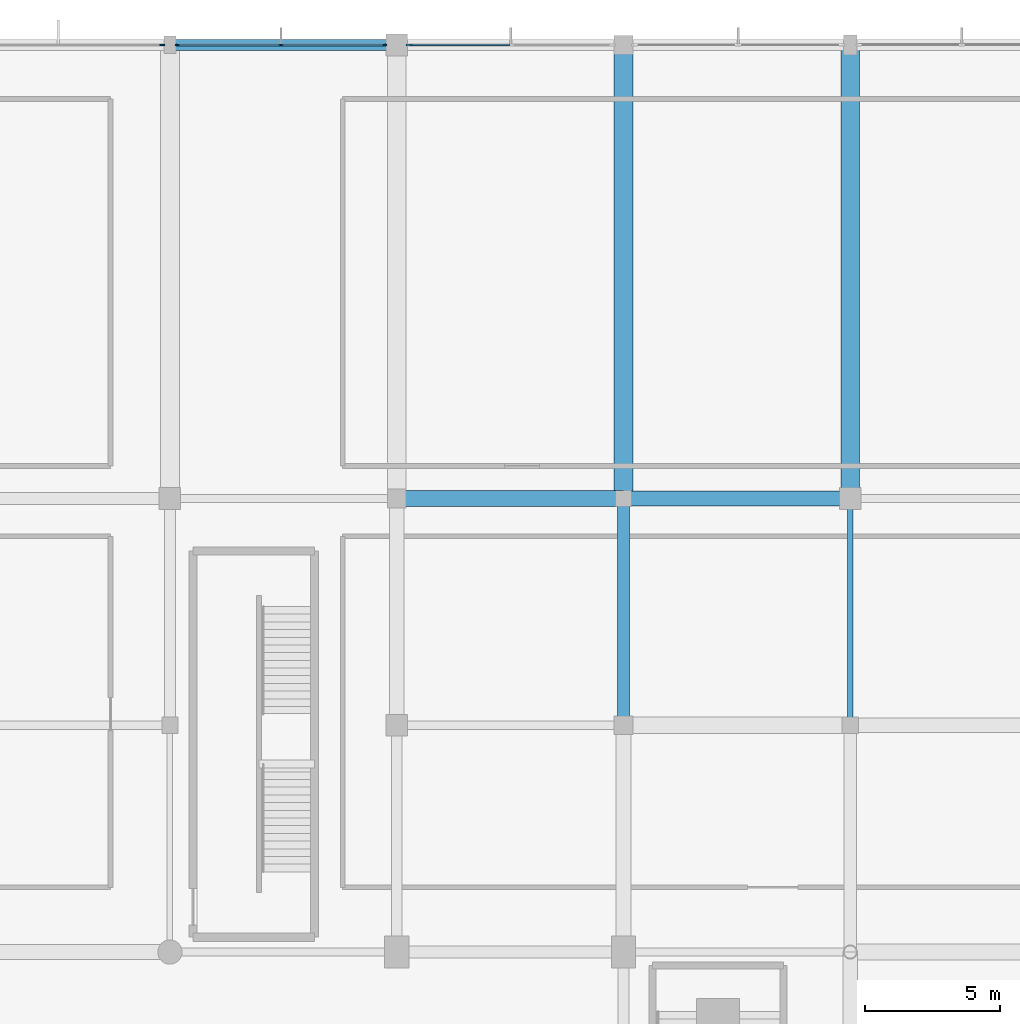
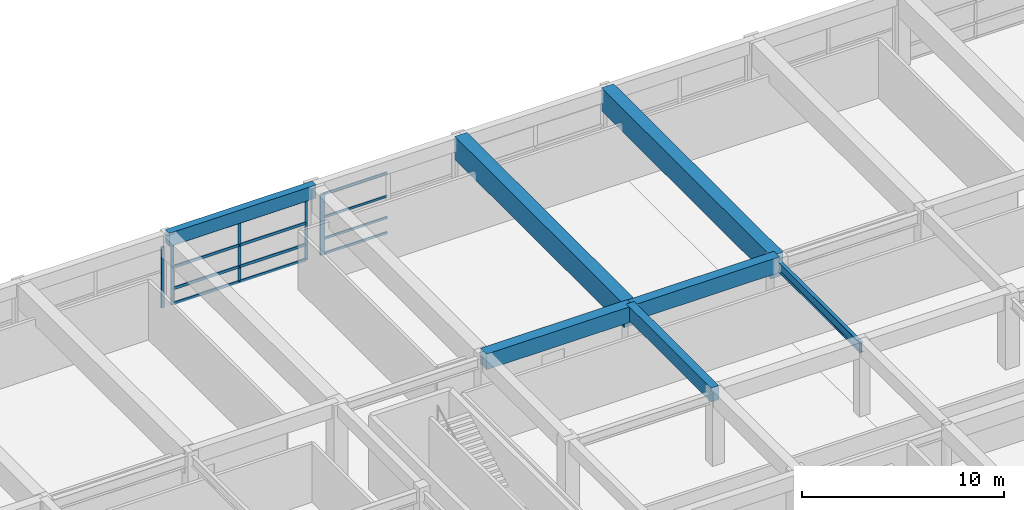
# One storey, part 30 of 65: 17 members, 7 beams, 3 elements without a shape of their own.
"""IFC4 building model written with IfcOpenShell, lengths in metres."""

from ifc_helpers import new_model, si_unit, direction, frame, origin, origin_2d, place, context, subcontext, project, spatial, rectangle, i_section, extrude, material, material_profile, profile_set, type_object, element, aggregate, save


model = new_model("IFC4")

# Units and contexts
model_context = context("Model", 3, precision=1e-05, world=origin(), true_north=direction((0.0, 1.0)))
body_context = subcontext(model_context, "Body", "Model", "MODEL_VIEW")
ifc_project = project(units=[si_unit("LENGTHUNIT", "METRE"), si_unit("AREAUNIT", "SQUARE_METRE"), si_unit("VOLUMEUNIT", "CUBIC_METRE"), si_unit("PLANEANGLEUNIT", "RADIAN"), si_unit("MASSUNIT", "GRAM", prefix="KILO")], contexts=[model_context])

# Site, building, storey
site_placement = place(None, origin())
site = spatial("IfcSite", under=ifc_project, at=site_placement, CompositionType="ELEMENT")
building_placement = place(site_placement, origin())
building = spatial("IfcBuilding", under=site, at=building_placement, Name="Xuanlan Plaza Opera House", CompositionType="ELEMENT")
storey_placement = place(building_placement, frame((0.0, 0.0, 5.39990234375)))
storey = spatial("IfcBuildingStorey", under=building, at=storey_placement, Name="L01", CompositionType="ELEMENT", Elevation=5.39990234375)

# Curtain wall, members
ifc_material_1 = material(Name="Anodised Aluminium 6063-T6 and Low-E Glass", Category="aluminium")
curtain_wall_type_1 = type_object("IfcCurtainWallType", Name="ENV-CW-CW-05", PredefinedType="USERDEFINED", material=ifc_material_1)
curtain_wall_1_placement = place(storey_placement, origin())
curtain_wall_1 = element("IfcCurtainWall", 1, at=curtain_wall_1_placement, inside=storey, type_object=curtain_wall_type_1, Name="Acoustic Glazed Wall L01-038", ObjectType="ACOUSTIC GLAZED WALL", PredefinedType="USERDEFINED")
ifc_material_2 = material(Name="Anodised Aluminium 6063-T6", Category="aluminium")
ifc_material_profile_1 = material_profile(ifc_material_2, rectangle(XDim=0.06494140625, YDim=0.159912109375, at=origin_2d()), Name="ALU-M 65x160")
ifc_profile_set_1 = profile_set([ifc_material_profile_1], Name="Anodised Aluminium 6063-T6")
member_type_1 = type_object("IfcMemberType", Name="ENV-CWM-01", PredefinedType="MULLION", material=ifc_profile_set_1)
member_1_placement = place(storey_placement, frame((91.947509765625, 117.60009765625, 0.0), z_axis=(0.0, 0.0, 1.0), x_axis=(0.0, -1.0, 0.0)))
member_1 = element("IfcMember", 2, at=member_1_placement, type_object=member_type_1, Name="CW-05 mullion 1", PredefinedType="MULLION", context=body_context, shape_type="SweptSolid", body=[
    extrude(rectangle(XDim=0.06494140625, YDim=0.159912109375, at=origin_2d()), origin(), (0.0, 0.0, 1.0), 3.68017578125),
])
member_2_placement = place(storey_placement, frame((88.112548828125, 117.60009765625, 0.0), z_axis=(0.0, 0.0, 1.0), x_axis=(0.0, -1.0, 0.0)))
member_2 = element("IfcMember", 3, at=member_2_placement, type_object=member_type_1, Name="CW-05 mullion 2", PredefinedType="MULLION", context=body_context, shape_type="SweptSolid", body=[
    extrude(rectangle(XDim=0.06494140625, YDim=0.159912109375, at=origin_2d()), origin(), (0.0, 0.0, 1.0), 3.68017578125),
])
member_3_placement = place(storey_placement, frame((84.277587890625, 117.60009765625, 0.0), z_axis=(0.0, 0.0, 1.0), x_axis=(0.0, -1.0, 0.0)))
member_3 = element("IfcMember", 4, at=member_3_placement, type_object=member_type_1, Name="CW-05 mullion 3", PredefinedType="MULLION", context=body_context, shape_type="SweptSolid", body=[
    extrude(rectangle(XDim=0.06494140625, YDim=0.159912109375, at=origin_2d()), origin(), (0.0, 0.0, 1.0), 3.68017578125),
])

# Curtain wall, member
curtain_wall_type_2 = type_object("IfcCurtainWallType", Name="ENV-CW-CW-06", PredefinedType="USERDEFINED", material=ifc_material_1)
curtain_wall_2_placement = place(storey_placement, origin())
curtain_wall_2 = element("IfcCurtainWall", 5, at=curtain_wall_2_placement, inside=storey, type_object=curtain_wall_type_2, Name="Acoustic Glazed Wall L01-039", ObjectType="ACOUSTIC GLAZED WALL", PredefinedType="USERDEFINED")
ifc_material_profile_2 = material_profile(ifc_material_2, rectangle(XDim=0.070068359375, YDim=0.179931640625, at=origin_2d()), Name="ALU-M 70x180")
ifc_profile_set_2 = profile_set([ifc_material_profile_2], Name="Anodised Aluminium 6063-T6")
member_type_2 = type_object("IfcMemberType", Name="ENV-CWM-02", PredefinedType="MULLION", material=ifc_profile_set_2)
member_4_placement = place(storey_placement, frame((83.719970703125, 117.60009765625, 0.0), z_axis=(0.0, 0.0, 1.0), x_axis=(0.0, -1.0, 0.0)))
member_4 = element("IfcMember", 6, at=member_4_placement, type_object=member_type_2, Name="CW-06 mullion 1", PredefinedType="MULLION", context=body_context, shape_type="SweptSolid", body=[
    extrude(rectangle(XDim=0.070068359375, YDim=0.179931640625, at=origin_2d()), origin(), (0.0, 0.0, 1.0), 3.68017578125),
])
aggregate(curtain_wall_2, [member_4])

# Curtain wall, members
curtain_wall_3_placement = place(storey_placement, origin())
curtain_wall_3 = element("IfcCurtainWall", 7, at=curtain_wall_3_placement, inside=storey, type_object=curtain_wall_type_2, Name="Acoustic Glazed Wall L01-037", ObjectType="ACOUSTIC GLAZED WALL", PredefinedType="USERDEFINED")
ifc_material_profile_3 = material_profile(ifc_material_2, rectangle(XDim=0.090087890625, YDim=0.25, at=origin_2d()), Name="ALU-M 90x250")
ifc_profile_set_3 = profile_set([ifc_material_profile_3], Name="Anodised Aluminium 6063-T6")
member_type_3 = type_object("IfcMemberType", Name="ENV-CWM-05", PredefinedType="MULLION", material=ifc_profile_set_3)
member_5_placement = place(storey_placement, frame((92.864990234375, 117.60009765625, 0.0), z_axis=(0.0, 0.0, 1.0), x_axis=(0.0, -1.0, 0.0)))
member_5 = element("IfcMember", 8, at=member_5_placement, type_object=member_type_3, Name="CW-06 mullion 3", PredefinedType="MULLION", context=body_context, shape_type="SweptSolid", body=[
    extrude(rectangle(XDim=0.090087890625, YDim=0.25, at=origin_2d()), origin(), (0.0, 0.0, 1.0), 3.68017578125),
])
ifc_material_profile_4 = material_profile(ifc_material_2, rectangle(XDim=0.070068359375, YDim=0.135009765625, at=origin_2d()), Name="ALU-T 70x135")
ifc_profile_set_4 = profile_set([ifc_material_profile_4], Name="Anodised Aluminium 6063-T6")
member_type_4 = type_object("IfcMemberType", Name="ENV-CWT-02", PredefinedType="USERDEFINED", material=ifc_profile_set_4)
member_6_placement = place(storey_placement, frame((96.580078125, 117.60009765625, 0.03515625), z_axis=(-1.0, 0.0, 0.0), x_axis=(0.0, -1.0, 0.0)))
member_6 = element("IfcMember", 9, at=member_6_placement, type_object=member_type_4, Name="CW-06 transom 2.1", ObjectType="TRANSOM", PredefinedType="USERDEFINED", context=body_context, shape_type="SweptSolid", body=[
    extrude(rectangle(XDim=0.070068359375, YDim=0.135009765625, at=origin_2d()), origin(), (0.0, 0.0, 1.0), 3.670166015625),
])
member_7_placement = place(storey_placement, frame((96.580078125, 117.60009765625, 0.9501953125), z_axis=(-1.0, 0.0, 0.0), x_axis=(0.0, -1.0, 0.0)))
member_7 = element("IfcMember", 10, at=member_7_placement, type_object=member_type_4, Name="CW-06 transom 2.2", ObjectType="TRANSOM", PredefinedType="USERDEFINED", context=body_context, shape_type="SweptSolid", body=[
    extrude(rectangle(XDim=0.070068359375, YDim=0.135009765625, at=origin_2d()), origin(), (0.0, 0.0, 1.0), 3.670166015625),
])
member_8_placement = place(storey_placement, frame((96.580078125, 117.60009765625, 2.25), z_axis=(-1.0, 0.0, 0.0), x_axis=(0.0, -1.0, 0.0)))
member_8 = element("IfcMember", 11, at=member_8_placement, type_object=member_type_4, Name="CW-06 transom 2.3", ObjectType="TRANSOM", PredefinedType="USERDEFINED", context=body_context, shape_type="SweptSolid", body=[
    extrude(rectangle(XDim=0.070068359375, YDim=0.135009765625, at=origin_2d()), origin(), (0.0, 0.0, 1.0), 3.670166015625),
])
member_9_placement = place(storey_placement, frame((96.580078125, 117.60009765625, 3.64501953125), z_axis=(-1.0, 0.0, 0.0), x_axis=(0.0, -1.0, 0.0)))
member_9 = element("IfcMember", 12, at=member_9_placement, type_object=member_type_4, Name="CW-06 transom 2.4", ObjectType="TRANSOM", PredefinedType="USERDEFINED", context=body_context, shape_type="SweptSolid", body=[
    extrude(rectangle(XDim=0.070068359375, YDim=0.135009765625, at=origin_2d()), origin(), (0.0, 0.0, 1.0), 3.670166015625),
])
aggregate(curtain_wall_3, [member_5, member_6, member_7, member_8, member_9])

# Member
ifc_material_profile_5 = material_profile(ifc_material_2, rectangle(XDim=0.080078125, YDim=0.1650390625, at=origin_2d()), Name="ALU-T 80x165")
ifc_profile_set_5 = profile_set([ifc_material_profile_5], Name="Anodised Aluminium 6063-T6")
member_type_5 = type_object("IfcMemberType", Name="ENV-CWT-04", PredefinedType="USERDEFINED", material=ifc_profile_set_5)
member_10_placement = place(storey_placement, frame((91.9150390625, 117.60009765625, 0.0400390625), z_axis=(-1.0, 0.0, 0.0), x_axis=(0.0, -1.0, 0.0)))
member_10 = element("IfcMember", 13, at=member_10_placement, type_object=member_type_5, Name="CW-05 transom 1.1", ObjectType="TRANSOM", PredefinedType="USERDEFINED", context=body_context, shape_type="SweptSolid", body=[
    extrude(rectangle(XDim=0.080078125, YDim=0.1650390625, at=origin_2d()), origin(), (0.0, 0.0, 1.0), 3.77001953125),
])

member_11_placement = place(storey_placement, frame((91.9150390625, 117.60009765625, 0.9501953125), z_axis=(-1.0, 0.0, 0.0), x_axis=(0.0, -1.0, 0.0)))
member_11 = element("IfcMember", 14, at=member_11_placement, type_object=member_type_5, Name="CW-05 transom 1.2", ObjectType="TRANSOM", PredefinedType="USERDEFINED", context=body_context, shape_type="SweptSolid", body=[
    extrude(rectangle(XDim=0.080078125, YDim=0.1650390625, at=origin_2d()), origin(), (0.0, 0.0, 1.0), 3.77001953125),
])

member_12_placement = place(storey_placement, frame((91.9150390625, 117.60009765625, 2.25), z_axis=(-1.0, 0.0, 0.0), x_axis=(0.0, -1.0, 0.0)))
member_12 = element("IfcMember", 15, at=member_12_placement, type_object=member_type_5, Name="CW-05 transom 1.3", ObjectType="TRANSOM", PredefinedType="USERDEFINED", context=body_context, shape_type="SweptSolid", body=[
    extrude(rectangle(XDim=0.080078125, YDim=0.1650390625, at=origin_2d()), origin(), (0.0, 0.0, 1.0), 3.77001953125),
])

member_13_placement = place(storey_placement, frame((91.9150390625, 117.60009765625, 3.64013671875), z_axis=(-1.0, 0.0, 0.0), x_axis=(0.0, -1.0, 0.0)))
member_13 = element("IfcMember", 16, at=member_13_placement, type_object=member_type_5, Name="CW-05 transom 1.4", ObjectType="TRANSOM", PredefinedType="USERDEFINED", context=body_context, shape_type="SweptSolid", body=[
    extrude(rectangle(XDim=0.080078125, YDim=0.1650390625, at=origin_2d()), origin(), (0.0, 0.0, 1.0), 3.77001953125),
])

member_14_placement = place(storey_placement, frame((88.080078125, 117.60009765625, 0.0400390625), z_axis=(-1.0, 0.0, 0.0), x_axis=(0.0, -1.0, 0.0)))
member_14 = element("IfcMember", 17, at=member_14_placement, type_object=member_type_5, Name="CW-05 transom 2.1", ObjectType="TRANSOM", PredefinedType="USERDEFINED", context=body_context, shape_type="SweptSolid", body=[
    extrude(rectangle(XDim=0.080078125, YDim=0.1650390625, at=origin_2d()), origin(), (0.0, 0.0, 1.0), 3.77001953125),
])

member_15_placement = place(storey_placement, frame((88.080078125, 117.60009765625, 0.9501953125), z_axis=(-1.0, 0.0, 0.0), x_axis=(0.0, -1.0, 0.0)))
member_15 = element("IfcMember", 18, at=member_15_placement, type_object=member_type_5, Name="CW-05 transom 2.2", ObjectType="TRANSOM", PredefinedType="USERDEFINED", context=body_context, shape_type="SweptSolid", body=[
    extrude(rectangle(XDim=0.080078125, YDim=0.1650390625, at=origin_2d()), origin(), (0.0, 0.0, 1.0), 3.77001953125),
])

member_16_placement = place(storey_placement, frame((88.080078125, 117.60009765625, 2.25), z_axis=(-1.0, 0.0, 0.0), x_axis=(0.0, -1.0, 0.0)))
member_16 = element("IfcMember", 19, at=member_16_placement, type_object=member_type_5, Name="CW-05 transom 2.3", ObjectType="TRANSOM", PredefinedType="USERDEFINED", context=body_context, shape_type="SweptSolid", body=[
    extrude(rectangle(XDim=0.080078125, YDim=0.1650390625, at=origin_2d()), origin(), (0.0, 0.0, 1.0), 3.77001953125),
])

member_17_placement = place(storey_placement, frame((88.080078125, 117.60009765625, 3.64013671875), z_axis=(-1.0, 0.0, 0.0), x_axis=(0.0, -1.0, 0.0)))
member_17 = element("IfcMember", 20, at=member_17_placement, type_object=member_type_5, Name="CW-05 transom 2.4", ObjectType="TRANSOM", PredefinedType="USERDEFINED", context=body_context, shape_type="SweptSolid", body=[
    extrude(rectangle(XDim=0.080078125, YDim=0.1650390625, at=origin_2d()), origin(), (0.0, 0.0, 1.0), 3.77001953125),
])

aggregate(curtain_wall_1, [member_1, member_2, member_3, member_10, member_11, member_12, member_13, member_14, member_15, member_16, member_17])

# Beams
ifc_material_3 = material(Name="Concrete C50", Category="concrete")
ifc_material_profile_6 = material_profile(ifc_material_3, rectangle(XDim=0.60009765625, YDim=0.949951171875, at=origin_2d()), Name="RC-BM 600x950")
ifc_profile_set_6 = profile_set([ifc_material_profile_6], Name="Concrete C50")
beam_type_1 = type_object("IfcBeamType", Name="STR-BM-B-01", PredefinedType="BEAM", material=ifc_profile_set_6)
beam_1_placement = place(storey_placement, frame((92.39990234375, 100.800048828125, 4.025146484375), z_axis=(1.0, 0.0, 0.0), x_axis=(0.0, 1.0, 0.0)))
element("IfcBeam", 21, at=beam_1_placement, inside=storey, type_object=beam_type_1, Name="Grid Beam X L01 12-13/M", PredefinedType="BEAM", context=body_context, shape_type="SweptSolid", body=[
    extrude(rectangle(XDim=0.60009765625, YDim=0.949951171875, at=origin_2d()), origin(), (0.0, 0.0, 1.0), 8.400146484375),
])
ifc_material_profile_7 = material_profile(ifc_material_3, rectangle(XDim=0.550048828125, YDim=0.949951171875, at=origin_2d()), Name="RC-BM 550x950")
ifc_profile_set_7 = profile_set([ifc_material_profile_7], Name="Concrete C50")
beam_type_2 = type_object("IfcBeamType", Name="STR-BM-B-02", PredefinedType="BEAM", material=ifc_profile_set_7)
beam_2_placement = place(storey_placement, frame((100.800048828125, 100.800048828125, 4.025146484375), z_axis=(1.0, 0.0, 0.0), x_axis=(0.0, 1.0, 0.0)))
element("IfcBeam", 22, at=beam_2_placement, inside=storey, type_object=beam_type_2, Name="Grid Beam X L01 13-14/M", PredefinedType="BEAM", context=body_context, shape_type="SweptSolid", body=[
    extrude(rectangle(XDim=0.550048828125, YDim=0.949951171875, at=origin_2d()), origin(), (0.0, 0.0, 1.0), 8.39990234375),
])
ifc_material_4 = material(Name="Concrete C40", Category="concrete")
ifc_material_profile_8 = material_profile(ifc_material_4, rectangle(XDim=0.449951171875, YDim=0.85009765625, at=origin_2d()), Name="RC-BM 450x850")
ifc_profile_set_8 = profile_set([ifc_material_profile_8], Name="Concrete C40")
beam_type_3 = type_object("IfcBeamType", Name="STR-BM-B-04", PredefinedType="BEAM", material=ifc_profile_set_8)
beam_3_placement = place(storey_placement, frame((100.800048828125, 92.39990234375, 4.0751953125), z_axis=(0.0, 1.0, 0.0), x_axis=(-1.0, 0.0, 0.0)))
element("IfcBeam", 23, at=beam_3_placement, inside=storey, type_object=beam_type_3, Name="Grid Beam Y L01 13/L-M", PredefinedType="BEAM", context=body_context, shape_type="SweptSolid", body=[
    extrude(rectangle(XDim=0.449951171875, YDim=0.85009765625, at=origin_2d()), origin(), (0.0, 0.0, 1.0), 8.400146484375),
])
ifc_material_profile_9 = material_profile(ifc_material_3, rectangle(XDim=0.699951171875, YDim=1.39990234375, at=origin_2d()), Name="RC-LG 700x1400")
ifc_profile_set_9 = profile_set([ifc_material_profile_9], Name="Concrete C50")
beam_type_4 = type_object("IfcBeamType", Name="STR-BM-LG-01", PredefinedType="BEAM", material=ifc_profile_set_9)
for number, where, z_axis, x_axis, name in (
    (24, (100.800048828125, 100.800048828125, 3.800048828125), (0.0, 1.0, 0.0), (-1.0, 0.0, 0.0), "Grid Beam Y L01 13/M-O"),
    (25, (109.199951171875, 100.800048828125, 3.800048828125), (0.0, 1.0, 0.0), (-1.0, 0.0, 0.0), "Grid Beam Y L01 14/M-O"),
):
    element("IfcBeam", number, at=place(storey_placement, frame(where, z_axis=z_axis, x_axis=x_axis)), inside=storey, type_object=beam_type_4, Name=name, PredefinedType="BEAM", context=body_context, shape_type="SweptSolid", body=[
        extrude(rectangle(XDim=0.699951171875, YDim=1.39990234375, at=origin_2d()), origin(), (0.0, 0.0, 1.0), 16.800048828125),
    ])
ifc_material_5 = material(Name="Steel Q355B", Category="steel")
ifc_material_profile_10 = material_profile(ifc_material_5, i_section(OverallWidth=0.199951171875, OverallDepth=0.60009765625, WebThickness=0.010986328125, FlangeThickness=0.01708984375, FilletRadius=0.02197265625, at=origin_2d()), Name="HN 600x200x11x17")
ifc_profile_set_10 = profile_set([ifc_material_profile_10], Name="Steel Q355B")
beam_type_5 = type_object("IfcBeamType", Name="STR-BM-SB-04", PredefinedType="BEAM", material=ifc_profile_set_10)
beam_4_placement = place(storey_placement, frame((109.199951171875, 92.39990234375, 3.93505859375), z_axis=(0.0, 1.0, 0.0), x_axis=(-1.0, 0.0, 0.0)))
element("IfcBeam", 26, at=beam_4_placement, inside=storey, type_object=beam_type_5, Name="Grid Beam Y L01 14/L-M", PredefinedType="BEAM", context=body_context, shape_type="SweptSolid", body=[
    extrude(i_section(OverallWidth=0.199951171875, OverallDepth=0.60009765625, WebThickness=0.010986328125, FlangeThickness=0.01708984375, FilletRadius=0.02197265625, at=origin_2d()), origin(), (0.0, 0.0, 1.0), 8.400146484375),
])
ifc_material_profile_11 = material_profile(ifc_material_4, rectangle(XDim=0.39990234375, YDim=0.800048828125, at=origin_2d()), Name="RC-SPD 400x800")
ifc_profile_set_11 = profile_set([ifc_material_profile_11], Name="Concrete C40")
beam_type_6 = type_object("IfcBeamType", Name="STR-BM-SP-01", PredefinedType="SPANDREL", material=ifc_profile_set_11)
beam_5_placement = place(storey_placement, frame((84.0, 117.60009765625, 4.10009765625), z_axis=(1.0, 0.0, 0.0), x_axis=(0.0, 1.0, 0.0)))
element("IfcBeam", 27, at=beam_5_placement, inside=storey, type_object=beam_type_6, Name="Grid Beam X L01 11-12/O", PredefinedType="SPANDREL", context=body_context, shape_type="SweptSolid", body=[
    extrude(rectangle(XDim=0.39990234375, YDim=0.800048828125, at=origin_2d()), origin(), (0.0, 0.0, 1.0), 8.39990234375),
])

save(model, "model.ifc")
